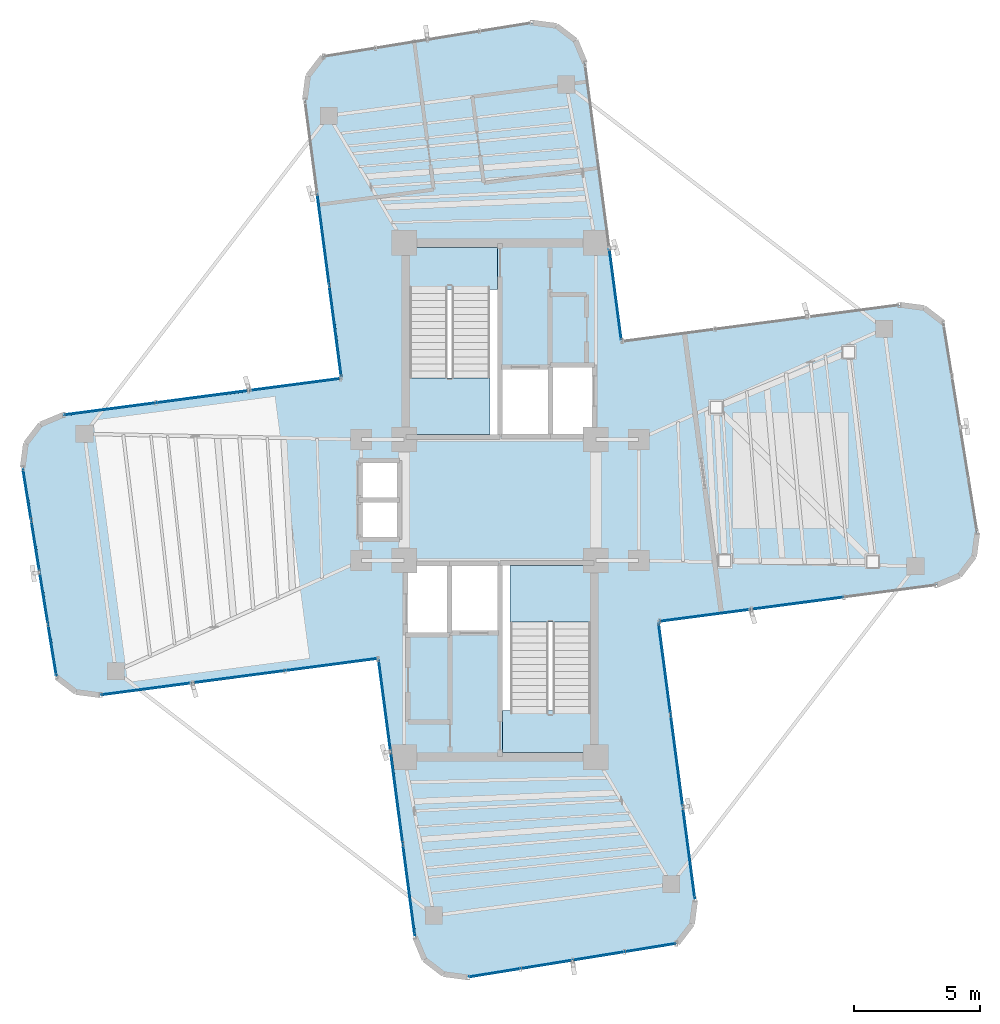
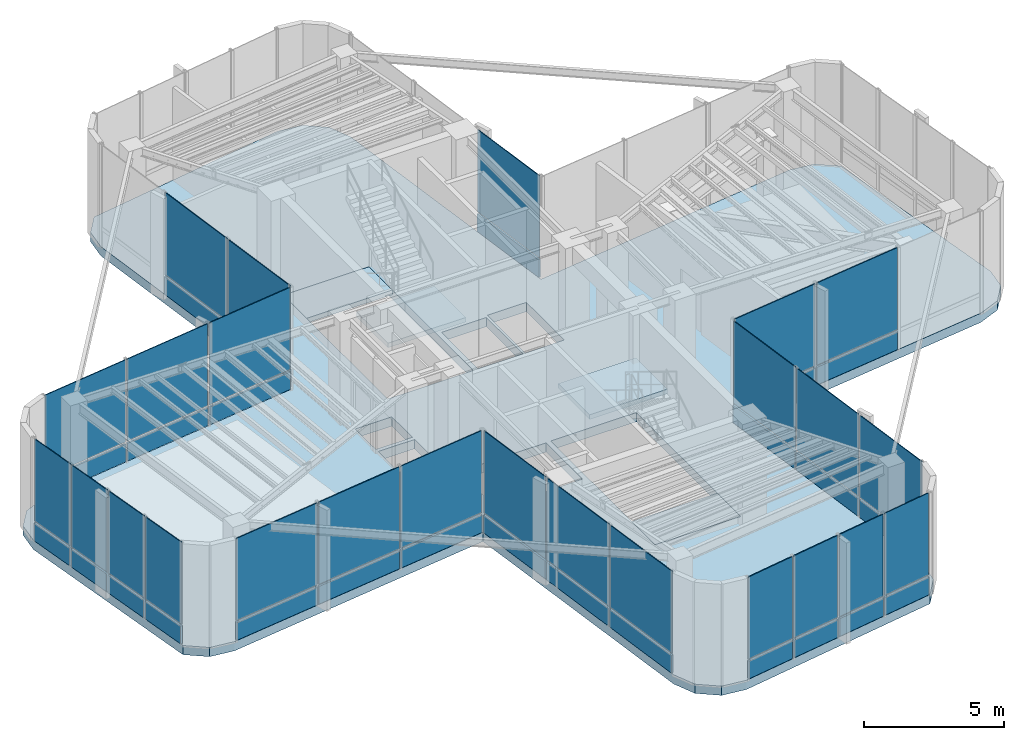
# One storey, part 11 of 16: 50 plates, 5 slabs, 11 elements without a shape of their own.
"""IFC4 building model written with IfcOpenShell, lengths in metres."""

from ifc_helpers import new_model, si_unit, direction, frame, origin, origin_2d, place, context, subcontext, project, spatial, polyline, rectangle, outline, extrude, source, transform, mapped, material, layer, layer_set, type_object, element, aggregate, save


model = new_model("IFC4")

# Units and contexts
model_context = context("Model", 3, precision=1e-05, world=origin(), true_north=direction((0.0, 1.0)))
body_context = subcontext(model_context, "Body", "Model", "MODEL_VIEW")
ifc_project = project(units=[si_unit("LENGTHUNIT", "METRE"), si_unit("AREAUNIT", "SQUARE_METRE"), si_unit("VOLUMEUNIT", "CUBIC_METRE"), si_unit("PLANEANGLEUNIT", "RADIAN"), si_unit("MASSUNIT", "GRAM", prefix="KILO")], contexts=[model_context])

# Site, building, storey
site_placement = place(None, origin())
site = spatial("IfcSite", under=ifc_project, at=site_placement, CompositionType="ELEMENT")
building_placement = place(site_placement, origin())
building = spatial("IfcBuilding", under=site, at=building_placement, Name="Sahyath Konkavel Grand Hotel", CompositionType="ELEMENT")
storey_placement = place(building_placement, frame((0.0, 0.0, 280.300048828125)))
storey = spatial("IfcBuildingStorey", under=building, at=storey_placement, Name="L78", CompositionType="ELEMENT", Elevation=280.300048828125)

# Slab
ifc_material_1 = material(Name="Concrete C50/60", Category="concrete")
ifc_layer_1 = layer(ifc_material_1, 0.39990234375)
ifc_layer_set_1 = layer_set([ifc_layer_1], Name="Concrete C50/60")
slab_type_1 = type_object("IfcSlabType", Name="SLB-400", PredefinedType="FLOOR", material=ifc_layer_set_1)
slab_1_placement = place(storey_placement, frame((0.0, 0.0, -0.400146484375)))
element("IfcSlab", 1, at=slab_1_placement, inside=storey, type_object=slab_type_1, Name="L78 Structural Floor Slab", PredefinedType="FLOOR", context=body_context, shape_type="SweptSolid", body=[
    extrude(outline(polyline([(6.282958984375, -4.821044921875), (17.337646484375, -3.36572265625), (18.222412109375, -2.999267578125), (18.805419921875, -2.239501953125), (18.930419921875, -1.2900390625), (17.5849609375, 7.030517578125), (16.8251953125, 7.61328125), (15.875732421875, 7.73828125), (4.821044921875, 6.282958984375), (3.36572265625, 17.337646484375), (2.999267578125, 18.222412109375), (2.239501953125, 18.805419921875), (1.2900390625, 18.930419921875), (-7.030517578125, 17.5849609375), (-7.61328125, 16.8251953125), (-7.73828125, 15.875732421875), (-6.282958984375, 4.821044921875), (-17.337646484375, 3.36572265625), (-18.222412109375, 2.999267578125), (-18.805419921875, 2.239501953125), (-18.930419921875, 1.2900390625), (-17.5849609375, -7.030517578125), (-16.8251953125, -7.61328125), (-15.875732421875, -7.73828125), (-4.821044921875, -6.282958984375), (-3.36572265625, -17.337646484375), (-2.999267578125, -18.222412109375), (-2.239501953125, -18.805419921875), (-1.2900390625, -18.930419921875), (7.030517578125, -17.5849609375), (7.61328125, -16.8251953125), (7.73828125, -15.875732421875), (6.282958984375, -4.821044921875)]), holes=[polyline([(-3.6201171875, 2.580078125), (-0.10009765625, 2.580078125), (-0.10009765625, 10.02001953125), (-3.6201171875, 10.02001953125), (-3.6201171875, 2.580078125)]), polyline([(0.10009765625, -10.02001953125), (3.6201171875, -10.02001953125), (3.6201171875, -2.580078125), (0.10009765625, -2.580078125), (0.10009765625, -10.02001953125)]), polyline([(0.10009765625, 2.60009765625), (1.949951171875, 2.60009765625), (1.949951171875, 5.199951171875), (0.10009765625, 5.199951171875), (0.10009765625, 2.60009765625)]), polyline([(-1.949951171875, -5.199951171875), (-0.10009765625, -5.199951171875), (-0.10009765625, -2.60009765625), (-1.949951171875, -2.60009765625), (-1.949951171875, -5.199951171875)]), polyline([(2.050048828125, 2.60009765625), (3.64990234375, 2.60009765625), (3.64990234375, 5.300048828125), (2.050048828125, 5.300048828125), (2.050048828125, 2.60009765625)]), polyline([(-3.64990234375, -5.300048828125), (-2.050048828125, -5.300048828125), (-2.050048828125, -2.60009765625), (-3.64990234375, -2.60009765625), (-3.64990234375, -5.300048828125)]), polyline([(-5.550048828125, 0.080078125), (-4.050048828125, 0.080078125), (-4.050048828125, 1.5400390625), (-5.550048828125, 1.5400390625), (-5.550048828125, 0.080078125)]), polyline([(-5.550048828125, -1.5400390625), (-4.050048828125, -1.5400390625), (-4.050048828125, -0.080078125), (-5.550048828125, -0.080078125), (-5.550048828125, -1.5400390625)])]), origin(), (0.0, 0.0, 1.0), 0.400146484375),
])

# Stair, slab
ifc_material_2 = material(Name="Concrete C40/50", Category="concrete")
stair_type = type_object("IfcStairType", Name="STR-ST16-480", PredefinedType="HALF_TURN_STAIR", material=ifc_material_2)
stair_1_placement = place(storey_placement, origin())
stair_1 = element("IfcStair", 2, at=stair_1_placement, inside=storey, type_object=stair_type, Name="L78 North Core Smokeproof Exit Stair ST-1", PredefinedType="HALF_TURN_STAIR")
ifc_layer_2 = layer(ifc_material_2, 0.199951171875)
ifc_layer_set_2 = layer_set([ifc_layer_2], Name="Concrete C40/50")
slab_type_2 = type_object("IfcSlabType", Name="SLB-STAIR-LND", PredefinedType="LANDING", material=ifc_layer_set_2)
slab_2_placement = place(storey_placement, frame((0.0, 0.0, 2.199951171875)))
slab_2 = element("IfcSlab", 3, at=slab_2_placement, type_object=slab_type_2, Name="ST-1 landing 1", PredefinedType="LANDING", context=body_context, shape_type="SweptSolid", body=[
    extrude(outline(polyline([(-3.60009765625, 4.840087890625), (-3.60009765625, 2.60009765625), (-0.39990234375, 2.60009765625), (-0.39990234375, 4.840087890625), (-3.60009765625, 4.840087890625)])), origin(), (0.0, 0.0, 1.0), 0.199951171875),
])
aggregate(stair_1, [slab_2])

stair_2_placement = place(storey_placement, origin())
stair_2 = element("IfcStair", 4, at=stair_2_placement, inside=storey, type_object=stair_type, Name="L78 South Core Smokeproof Exit Stair ST-2", PredefinedType="HALF_TURN_STAIR")
slab_3_placement = place(storey_placement, frame((0.0, 0.0, 2.199951171875)))
slab_3 = element("IfcSlab", 5, at=slab_3_placement, type_object=slab_type_2, Name="ST-2 landing 1", PredefinedType="LANDING", context=body_context, shape_type="SweptSolid", body=[
    extrude(outline(polyline([(3.60009765625, -4.840087890625), (3.60009765625, -2.60009765625), (0.39990234375, -2.60009765625), (0.39990234375, -4.840087890625), (3.60009765625, -4.840087890625)])), origin(), (0.0, 0.0, 1.0), 0.199951171875),
])
aggregate(stair_2, [slab_3])

# Slabs
slab_4_placement = place(storey_placement, frame((0.0, 0.0, -0.199951171875)))
element("IfcSlab", 6, at=slab_4_placement, inside=storey, type_object=slab_type_2, Name="L78 Stair ST-1 Floor Landing Slab", PredefinedType="LANDING", context=body_context, shape_type="SweptSolid", body=[
    extrude(outline(polyline([(-3.6201171875, 8.35009765625), (-0.10009765625, 8.35009765625), (-0.10009765625, 10.02001953125), (-3.6201171875, 10.02001953125), (-3.6201171875, 8.35009765625)])), origin(), (0.0, 0.0, 1.0), 0.199951171875),
])
slab_5_placement = place(storey_placement, frame((0.0, 0.0, -0.199951171875)))
element("IfcSlab", 7, at=slab_5_placement, inside=storey, type_object=slab_type_2, Name="L78 Stair ST-2 Floor Landing Slab", PredefinedType="LANDING", context=body_context, shape_type="SweptSolid", body=[
    extrude(outline(polyline([(0.10009765625, -10.02001953125), (3.6201171875, -10.02001953125), (3.6201171875, -8.35009765625), (0.10009765625, -8.35009765625), (0.10009765625, -10.02001953125)])), origin(), (0.0, 0.0, 1.0), 0.199951171875),
])

# Curtain wall, plates
ifc_material_3 = material(Name="Anodised Bronze Aluminium & Low-E Glazing", Category="aluminium")
curtain_wall_type = type_object("IfcCurtainWallType", Name="CW-CROWN-TMD", PredefinedType="NOTDEFINED", material=ifc_material_3)
curtain_wall_1_placement = place(storey_placement, origin())
curtain_wall_1 = element("IfcCurtainWall", 8, at=curtain_wall_1_placement, inside=storey, type_object=curtain_wall_type, Name="L78 Unitised Curtain Wall F20", PredefinedType="NOTDEFINED")
ifc_material_4 = material(Name="Warm Buff Sandstone Cladding", Category="masonry")
ifc_layer_3 = layer(ifc_material_4, 0.074951171875)
ifc_layer_set_3 = layer_set([ifc_layer_3], Name="Warm Buff Sandstone Cladding")
plate_type_1 = type_object("IfcPlateType", Name="PNL-SPANDREL-STONE", PredefinedType="SHEET", material=ifc_layer_set_3)
shared_shape_1 = source(origin(), body_context, "Body", "SweptSolid", [
    extrude(rectangle(XDim=2.007080078125, YDim=0.074951171875, at=origin_2d()), origin(), (0.0, 0.0, 1.0), 0.77001953125),
])
plate_1_placement = place(storey_placement, frame((-18.75732421875, 0.220458984375, 0.0400390625), z_axis=(0.0, 0.0, 1.0), x_axis=(0.159622750546, -0.987178088041, 0.0)))
plate_1 = element("IfcPlate", 9, at=plate_1_placement, type_object=plate_type_1, Name="L78 Sandstone Relief Spandrel Panel F20-0", PredefinedType="SHEET", context=body_context, shape_type="MappedRepresentation", body=[
    mapped(shared_shape_1, transform((0.0, 0.0, 0.0), scale=1.0)),
])
plate_2_placement = place(storey_placement, frame((-18.42431640625, -1.840087890625, 0.0400390625), z_axis=(0.0, 0.0, 1.0), x_axis=(0.159622750546, -0.987178088041, 0.0)))
plate_2 = element("IfcPlate", 10, at=plate_2_placement, type_object=plate_type_1, Name="L78 Sandstone Relief Spandrel Panel F20-1", PredefinedType="SHEET", context=body_context, shape_type="MappedRepresentation", body=[
    mapped(shared_shape_1, transform((0.0, 0.0, 0.0), scale=1.0)),
])
plate_3_placement = place(storey_placement, frame((-18.091064453125, -3.900390625, 0.0400390625), z_axis=(0.0, 0.0, 1.0), x_axis=(0.159622750546, -0.987178088041, 0.0)))
plate_3 = element("IfcPlate", 11, at=plate_3_placement, type_object=plate_type_1, Name="L78 Sandstone Relief Spandrel Panel F20-2", PredefinedType="SHEET", context=body_context, shape_type="MappedRepresentation", body=[
    mapped(shared_shape_1, transform((0.0, 0.0, 0.0), scale=1.0)),
])
plate_4_placement = place(storey_placement, frame((-17.7578125, -5.960693359375, 0.0400390625), z_axis=(0.0, 0.0, 1.0), x_axis=(0.159622750546, -0.987178088041, 0.0)))
plate_4 = element("IfcPlate", 12, at=plate_4_placement, type_object=plate_type_1, Name="L78 Sandstone Relief Spandrel Panel F20-3", PredefinedType="SHEET", context=body_context, shape_type="MappedRepresentation", body=[
    mapped(shared_shape_1, transform((0.0, 0.0, 0.0), scale=1.0)),
])

curtain_wall_2_placement = place(storey_placement, origin())
curtain_wall_2 = element("IfcCurtainWall", 13, at=curtain_wall_2_placement, inside=storey, type_object=curtain_wall_type, Name="L78 Unitised Curtain Wall F28", PredefinedType="NOTDEFINED")
plate_5_placement = place(storey_placement, frame((-0.220458984375, -18.75732421875, 0.0400390625), z_axis=(0.0, 0.0, 1.0), x_axis=(0.987178088041, 0.159622750546, 0.0)))
plate_5 = element("IfcPlate", 14, at=plate_5_placement, type_object=plate_type_1, Name="L78 Sandstone Relief Spandrel Panel F28-0", PredefinedType="SHEET", context=body_context, shape_type="MappedRepresentation", body=[
    mapped(shared_shape_1, transform((0.0, 0.0, 0.0), scale=1.0)),
])
plate_6_placement = place(storey_placement, frame((1.840087890625, -18.42431640625, 0.0400390625), z_axis=(0.0, 0.0, 1.0), x_axis=(0.987178088041, 0.159622750546, 0.0)))
plate_6 = element("IfcPlate", 15, at=plate_6_placement, type_object=plate_type_1, Name="L78 Sandstone Relief Spandrel Panel F28-1", PredefinedType="SHEET", context=body_context, shape_type="MappedRepresentation", body=[
    mapped(shared_shape_1, transform((0.0, 0.0, 0.0), scale=1.0)),
])
plate_7_placement = place(storey_placement, frame((3.900390625, -18.091064453125, 0.0400390625), z_axis=(0.0, 0.0, 1.0), x_axis=(0.987178088041, 0.159622750546, 0.0)))
plate_7 = element("IfcPlate", 16, at=plate_7_placement, type_object=plate_type_1, Name="L78 Sandstone Relief Spandrel Panel F28-2", PredefinedType="SHEET", context=body_context, shape_type="MappedRepresentation", body=[
    mapped(shared_shape_1, transform((0.0, 0.0, 0.0), scale=1.0)),
])
plate_8_placement = place(storey_placement, frame((5.960693359375, -17.7578125, 0.0400390625), z_axis=(0.0, 0.0, 1.0), x_axis=(0.987178088041, 0.159622750546, 0.0)))
plate_8 = element("IfcPlate", 17, at=plate_8_placement, type_object=plate_type_1, Name="L78 Sandstone Relief Spandrel Panel F28-3", PredefinedType="SHEET", context=body_context, shape_type="MappedRepresentation", body=[
    mapped(shared_shape_1, transform((0.0, 0.0, 0.0), scale=1.0)),
])

curtain_wall_3_placement = place(storey_placement, origin())
curtain_wall_3 = element("IfcCurtainWall", 18, at=curtain_wall_3_placement, inside=storey, type_object=curtain_wall_type, Name="L78 Unitised Curtain Wall F0", PredefinedType="NOTDEFINED")
shared_shape_2 = source(origin(), body_context, "Body", "SweptSolid", [
    extrude(rectangle(XDim=3.610107421875, YDim=0.074951171875, at=origin_2d()), origin(), (0.0, 0.0, 1.0), 0.77001953125),
])
plate_9_placement = place(storey_placement, frame((8.15185546875, -4.5751953125, 0.0400390625), z_axis=(0.0, 0.0, 1.0), x_axis=(0.991444861374, 0.13052619222, 0.0)))
plate_9 = element("IfcPlate", 19, at=plate_9_placement, type_object=plate_type_1, Name="L78 Sandstone Relief Spandrel Panel F0-0", PredefinedType="SHEET", context=body_context, shape_type="MappedRepresentation", body=[
    mapped(shared_shape_2, transform((0.0, 0.0, 0.0), scale=1.0)),
])
plate_10_placement = place(storey_placement, frame((11.810302734375, -4.093505859375, 0.0400390625), z_axis=(0.0, 0.0, 1.0), x_axis=(0.991444861374, 0.13052619222, 0.0)))
plate_10 = element("IfcPlate", 20, at=plate_10_placement, type_object=plate_type_1, Name="L78 Sandstone Relief Spandrel Panel F0-1", PredefinedType="SHEET", context=body_context, shape_type="MappedRepresentation", body=[
    mapped(shared_shape_2, transform((0.0, 0.0, 0.0), scale=1.0)),
])

# Curtain wall, plate
curtain_wall_4_placement = place(storey_placement, origin())
curtain_wall_4 = element("IfcCurtainWall", 21, at=curtain_wall_4_placement, inside=storey, type_object=curtain_wall_type, Name="L78 Unitised Curtain Wall F8", PredefinedType="NOTDEFINED")
plate_11_placement = place(storey_placement, frame((4.5751953125, 8.15185546875, 0.0400390625), z_axis=(0.0, 0.0, 1.0), x_axis=(-0.13052619222, 0.991444861374, 0.0)))
plate_11 = element("IfcPlate", 22, at=plate_11_placement, type_object=plate_type_1, Name="L78 Sandstone Relief Spandrel Panel F8-0", PredefinedType="SHEET", context=body_context, shape_type="MappedRepresentation", body=[
    mapped(shared_shape_2, transform((0.0, 0.0, 0.0), scale=1.0)),
])

# Curtain wall, plates
curtain_wall_5_placement = place(storey_placement, origin())
curtain_wall_5 = element("IfcCurtainWall", 23, at=curtain_wall_5_placement, inside=storey, type_object=curtain_wall_type, Name="L78 Unitised Curtain Wall F15", PredefinedType="NOTDEFINED")
plate_12_placement = place(storey_placement, frame((-7.0107421875, 10.348388671875, 0.0400390625), z_axis=(0.0, 0.0, 1.0), x_axis=(0.13052619222, -0.991444861374, 0.0)))
plate_12 = element("IfcPlate", 24, at=plate_12_placement, type_object=plate_type_1, Name="L78 Sandstone Relief Spandrel Panel F15-1", PredefinedType="SHEET", context=body_context, shape_type="MappedRepresentation", body=[
    mapped(shared_shape_2, transform((0.0, 0.0, 0.0), scale=1.0)),
])
plate_13_placement = place(storey_placement, frame((-6.529052734375, 6.68994140625, 0.0400390625), z_axis=(0.0, 0.0, 1.0), x_axis=(0.13052619222, -0.991444861374, 0.0)))
plate_13 = element("IfcPlate", 25, at=plate_13_placement, type_object=plate_type_1, Name="L78 Sandstone Relief Spandrel Panel F15-2", PredefinedType="SHEET", context=body_context, shape_type="MappedRepresentation", body=[
    mapped(shared_shape_2, transform((0.0, 0.0, 0.0), scale=1.0)),
])

curtain_wall_6_placement = place(storey_placement, origin())
curtain_wall_6 = element("IfcCurtainWall", 26, at=curtain_wall_6_placement, inside=storey, type_object=curtain_wall_type, Name="L78 Unitised Curtain Wall F16", PredefinedType="NOTDEFINED")
plate_14_placement = place(storey_placement, frame((-8.15185546875, 4.5751953125, 0.0400390625), z_axis=(0.0, 0.0, 1.0), x_axis=(-0.991444861374, -0.13052619222, 0.0)))
plate_14 = element("IfcPlate", 27, at=plate_14_placement, type_object=plate_type_1, Name="L78 Sandstone Relief Spandrel Panel F16-0", PredefinedType="SHEET", context=body_context, shape_type="MappedRepresentation", body=[
    mapped(shared_shape_2, transform((0.0, 0.0, 0.0), scale=1.0)),
])
plate_15_placement = place(storey_placement, frame((-11.810302734375, 4.093505859375, 0.0400390625), z_axis=(0.0, 0.0, 1.0), x_axis=(-0.991444861374, -0.13052619222, 0.0)))
plate_15 = element("IfcPlate", 28, at=plate_15_placement, type_object=plate_type_1, Name="L78 Sandstone Relief Spandrel Panel F16-1", PredefinedType="SHEET", context=body_context, shape_type="MappedRepresentation", body=[
    mapped(shared_shape_2, transform((0.0, 0.0, 0.0), scale=1.0)),
])
plate_16_placement = place(storey_placement, frame((-15.46875, 3.61181640625, 0.0400390625), z_axis=(0.0, 0.0, 1.0), x_axis=(-0.991444861374, -0.13052619222, 0.0)))
plate_16 = element("IfcPlate", 29, at=plate_16_placement, type_object=plate_type_1, Name="L78 Sandstone Relief Spandrel Panel F16-2", PredefinedType="SHEET", context=body_context, shape_type="MappedRepresentation", body=[
    mapped(shared_shape_2, transform((0.0, 0.0, 0.0), scale=1.0)),
])

curtain_wall_7_placement = place(storey_placement, origin())
curtain_wall_7 = element("IfcCurtainWall", 30, at=curtain_wall_7_placement, inside=storey, type_object=curtain_wall_type, Name="L78 Unitised Curtain Wall F23", PredefinedType="NOTDEFINED")
plate_17_placement = place(storey_placement, frame((-14.0068359375, -7.492431640625, 0.0400390625), z_axis=(0.0, 0.0, 1.0), x_axis=(0.991444861374, 0.13052619222, 0.0)))
plate_17 = element("IfcPlate", 31, at=plate_17_placement, type_object=plate_type_1, Name="L78 Sandstone Relief Spandrel Panel F23-0", PredefinedType="SHEET", context=body_context, shape_type="MappedRepresentation", body=[
    mapped(shared_shape_2, transform((0.0, 0.0, 0.0), scale=1.0)),
])
plate_18_placement = place(storey_placement, frame((-10.348388671875, -7.0107421875, 0.0400390625), z_axis=(0.0, 0.0, 1.0), x_axis=(0.991444861374, 0.13052619222, 0.0)))
plate_18 = element("IfcPlate", 32, at=plate_18_placement, type_object=plate_type_1, Name="L78 Sandstone Relief Spandrel Panel F23-1", PredefinedType="SHEET", context=body_context, shape_type="MappedRepresentation", body=[
    mapped(shared_shape_2, transform((0.0, 0.0, 0.0), scale=1.0)),
])
plate_19_placement = place(storey_placement, frame((-6.68994140625, -6.529052734375, 0.0400390625), z_axis=(0.0, 0.0, 1.0), x_axis=(0.991444861374, 0.13052619222, 0.0)))
plate_19 = element("IfcPlate", 33, at=plate_19_placement, type_object=plate_type_1, Name="L78 Sandstone Relief Spandrel Panel F23-2", PredefinedType="SHEET", context=body_context, shape_type="MappedRepresentation", body=[
    mapped(shared_shape_2, transform((0.0, 0.0, 0.0), scale=1.0)),
])

curtain_wall_8_placement = place(storey_placement, origin())
curtain_wall_8 = element("IfcCurtainWall", 34, at=curtain_wall_8_placement, inside=storey, type_object=curtain_wall_type, Name="L78 Unitised Curtain Wall F24", PredefinedType="NOTDEFINED")
plate_20_placement = place(storey_placement, frame((-4.5751953125, -8.15185546875, 0.0400390625), z_axis=(0.0, 0.0, 1.0), x_axis=(0.13052619222, -0.991444861374, 0.0)))
plate_20 = element("IfcPlate", 35, at=plate_20_placement, type_object=plate_type_1, Name="L78 Sandstone Relief Spandrel Panel F24-0", PredefinedType="SHEET", context=body_context, shape_type="MappedRepresentation", body=[
    mapped(shared_shape_2, transform((0.0, 0.0, 0.0), scale=1.0)),
])
plate_21_placement = place(storey_placement, frame((-4.093505859375, -11.810302734375, 0.0400390625), z_axis=(0.0, 0.0, 1.0), x_axis=(0.13052619222, -0.991444861374, 0.0)))
plate_21 = element("IfcPlate", 36, at=plate_21_placement, type_object=plate_type_1, Name="L78 Sandstone Relief Spandrel Panel F24-1", PredefinedType="SHEET", context=body_context, shape_type="MappedRepresentation", body=[
    mapped(shared_shape_2, transform((0.0, 0.0, 0.0), scale=1.0)),
])
plate_22_placement = place(storey_placement, frame((-3.61181640625, -15.46875, 0.0400390625), z_axis=(0.0, 0.0, 1.0), x_axis=(0.13052619222, -0.991444861374, 0.0)))
plate_22 = element("IfcPlate", 37, at=plate_22_placement, type_object=plate_type_1, Name="L78 Sandstone Relief Spandrel Panel F24-2", PredefinedType="SHEET", context=body_context, shape_type="MappedRepresentation", body=[
    mapped(shared_shape_2, transform((0.0, 0.0, 0.0), scale=1.0)),
])

curtain_wall_9_placement = place(storey_placement, origin())
curtain_wall_9 = element("IfcCurtainWall", 38, at=curtain_wall_9_placement, inside=storey, type_object=curtain_wall_type, Name="L78 Unitised Curtain Wall F31", PredefinedType="NOTDEFINED")
plate_23_placement = place(storey_placement, frame((7.492431640625, -14.0068359375, 0.0400390625), z_axis=(0.0, 0.0, 1.0), x_axis=(-0.13052619222, 0.991444861374, 0.0)))
plate_23 = element("IfcPlate", 39, at=plate_23_placement, type_object=plate_type_1, Name="L78 Sandstone Relief Spandrel Panel F31-0", PredefinedType="SHEET", context=body_context, shape_type="MappedRepresentation", body=[
    mapped(shared_shape_2, transform((0.0, 0.0, 0.0), scale=1.0)),
])
plate_24_placement = place(storey_placement, frame((7.0107421875, -10.348388671875, 0.0400390625), z_axis=(0.0, 0.0, 1.0), x_axis=(-0.13052619222, 0.991444861374, 0.0)))
plate_24 = element("IfcPlate", 40, at=plate_24_placement, type_object=plate_type_1, Name="L78 Sandstone Relief Spandrel Panel F31-1", PredefinedType="SHEET", context=body_context, shape_type="MappedRepresentation", body=[
    mapped(shared_shape_2, transform((0.0, 0.0, 0.0), scale=1.0)),
])
plate_25_placement = place(storey_placement, frame((6.529052734375, -6.68994140625, 0.0400390625), z_axis=(0.0, 0.0, 1.0), x_axis=(-0.13052619222, 0.991444861374, 0.0)))
plate_25 = element("IfcPlate", 41, at=plate_25_placement, type_object=plate_type_1, Name="L78 Sandstone Relief Spandrel Panel F31-2", PredefinedType="SHEET", context=body_context, shape_type="MappedRepresentation", body=[
    mapped(shared_shape_2, transform((0.0, 0.0, 0.0), scale=1.0)),
])

# Plate
ifc_material_5 = material(Name="Low-E Solar Control Double Glazing", Category="glass")
ifc_layer_4 = layer(ifc_material_5, 0.035888671875)
ifc_layer_set_4 = layer_set([ifc_layer_4], Name="Low-E Solar Control Double Glazing")
plate_type_2 = type_object("IfcPlateType", Name="PNL-VISION-LOWE", PredefinedType="CURTAIN_PANEL", material=ifc_layer_set_4)
shared_shape_3 = source(origin(), body_context, "Body", "SweptSolid", [
    extrude(rectangle(XDim=3.610107421875, YDim=0.035888671875, at=origin_2d()), origin(), (0.0, 0.0, 1.0), 3.570068359375),
])
plate_26_placement = place(storey_placement, frame((8.15185546875, -4.5751953125, 0.89013671875), z_axis=(0.0, 0.0, 1.0), x_axis=(0.991444861374, 0.13052619222, 0.0)))
plate_26 = element("IfcPlate", 42, at=plate_26_placement, type_object=plate_type_2, Name="L78 Low-E Vision Glazing Panel F0-0", PredefinedType="CURTAIN_PANEL", context=body_context, shape_type="MappedRepresentation", body=[
    mapped(shared_shape_3, transform((0.0, 0.0, 0.0), scale=1.0)),
])

plate_27_placement = place(storey_placement, frame((11.810302734375, -4.093505859375, 0.89013671875), z_axis=(0.0, 0.0, 1.0), x_axis=(0.991444861374, 0.13052619222, 0.0)))
plate_27 = element("IfcPlate", 43, at=plate_27_placement, type_object=plate_type_2, Name="L78 Low-E Vision Glazing Panel F0-1", PredefinedType="CURTAIN_PANEL", context=body_context, shape_type="MappedRepresentation", body=[
    mapped(shared_shape_3, transform((0.0, 0.0, 0.0), scale=1.0)),
])

aggregate(curtain_wall_3, [plate_9, plate_26, plate_10, plate_27])

plate_28_placement = place(storey_placement, frame((4.5751953125, 8.15185546875, 0.89013671875), z_axis=(0.0, 0.0, 1.0), x_axis=(-0.13052619222, 0.991444861374, 0.0)))
plate_28 = element("IfcPlate", 44, at=plate_28_placement, type_object=plate_type_2, Name="L78 Low-E Vision Glazing Panel F8-0", PredefinedType="CURTAIN_PANEL", context=body_context, shape_type="MappedRepresentation", body=[
    mapped(shared_shape_3, transform((0.0, 0.0, 0.0), scale=1.0)),
])

aggregate(curtain_wall_4, [plate_11, plate_28])

plate_29_placement = place(storey_placement, frame((-7.0107421875, 10.348388671875, 0.89013671875), z_axis=(0.0, 0.0, 1.0), x_axis=(0.13052619222, -0.991444861374, 0.0)))
plate_29 = element("IfcPlate", 45, at=plate_29_placement, type_object=plate_type_2, Name="L78 Low-E Vision Glazing Panel F15-1", PredefinedType="CURTAIN_PANEL", context=body_context, shape_type="MappedRepresentation", body=[
    mapped(shared_shape_3, transform((0.0, 0.0, 0.0), scale=1.0)),
])

plate_30_placement = place(storey_placement, frame((-6.529052734375, 6.68994140625, 0.89013671875), z_axis=(0.0, 0.0, 1.0), x_axis=(0.13052619222, -0.991444861374, 0.0)))
plate_30 = element("IfcPlate", 46, at=plate_30_placement, type_object=plate_type_2, Name="L78 Low-E Vision Glazing Panel F15-2", PredefinedType="CURTAIN_PANEL", context=body_context, shape_type="MappedRepresentation", body=[
    mapped(shared_shape_3, transform((0.0, 0.0, 0.0), scale=1.0)),
])

aggregate(curtain_wall_5, [plate_12, plate_29, plate_13, plate_30])

plate_31_placement = place(storey_placement, frame((-8.15185546875, 4.5751953125, 0.89013671875), z_axis=(0.0, 0.0, 1.0), x_axis=(-0.991444861374, -0.13052619222, 0.0)))
plate_31 = element("IfcPlate", 47, at=plate_31_placement, type_object=plate_type_2, Name="L78 Low-E Vision Glazing Panel F16-0", PredefinedType="CURTAIN_PANEL", context=body_context, shape_type="MappedRepresentation", body=[
    mapped(shared_shape_3, transform((0.0, 0.0, 0.0), scale=1.0)),
])

plate_32_placement = place(storey_placement, frame((-11.810302734375, 4.093505859375, 0.89013671875), z_axis=(0.0, 0.0, 1.0), x_axis=(-0.991444861374, -0.13052619222, 0.0)))
plate_32 = element("IfcPlate", 48, at=plate_32_placement, type_object=plate_type_2, Name="L78 Low-E Vision Glazing Panel F16-1", PredefinedType="CURTAIN_PANEL", context=body_context, shape_type="MappedRepresentation", body=[
    mapped(shared_shape_3, transform((0.0, 0.0, 0.0), scale=1.0)),
])

plate_33_placement = place(storey_placement, frame((-15.46875, 3.61181640625, 0.89013671875), z_axis=(0.0, 0.0, 1.0), x_axis=(-0.991444861374, -0.13052619222, 0.0)))
plate_33 = element("IfcPlate", 49, at=plate_33_placement, type_object=plate_type_2, Name="L78 Low-E Vision Glazing Panel F16-2", PredefinedType="CURTAIN_PANEL", context=body_context, shape_type="MappedRepresentation", body=[
    mapped(shared_shape_3, transform((0.0, 0.0, 0.0), scale=1.0)),
])

aggregate(curtain_wall_6, [plate_14, plate_31, plate_15, plate_32, plate_16, plate_33])

plate_34_placement = place(storey_placement, frame((-14.0068359375, -7.492431640625, 0.89013671875), z_axis=(0.0, 0.0, 1.0), x_axis=(0.991444861374, 0.13052619222, 0.0)))
plate_34 = element("IfcPlate", 50, at=plate_34_placement, type_object=plate_type_2, Name="L78 Low-E Vision Glazing Panel F23-0", PredefinedType="CURTAIN_PANEL", context=body_context, shape_type="MappedRepresentation", body=[
    mapped(shared_shape_3, transform((0.0, 0.0, 0.0), scale=1.0)),
])

plate_35_placement = place(storey_placement, frame((-10.348388671875, -7.0107421875, 0.89013671875), z_axis=(0.0, 0.0, 1.0), x_axis=(0.991444861374, 0.13052619222, 0.0)))
plate_35 = element("IfcPlate", 51, at=plate_35_placement, type_object=plate_type_2, Name="L78 Low-E Vision Glazing Panel F23-1", PredefinedType="CURTAIN_PANEL", context=body_context, shape_type="MappedRepresentation", body=[
    mapped(shared_shape_3, transform((0.0, 0.0, 0.0), scale=1.0)),
])

plate_36_placement = place(storey_placement, frame((-6.68994140625, -6.529052734375, 0.89013671875), z_axis=(0.0, 0.0, 1.0), x_axis=(0.991444861374, 0.13052619222, 0.0)))
plate_36 = element("IfcPlate", 52, at=plate_36_placement, type_object=plate_type_2, Name="L78 Low-E Vision Glazing Panel F23-2", PredefinedType="CURTAIN_PANEL", context=body_context, shape_type="MappedRepresentation", body=[
    mapped(shared_shape_3, transform((0.0, 0.0, 0.0), scale=1.0)),
])

aggregate(curtain_wall_7, [plate_17, plate_34, plate_18, plate_35, plate_19, plate_36])

plate_37_placement = place(storey_placement, frame((-4.5751953125, -8.15185546875, 0.89013671875), z_axis=(0.0, 0.0, 1.0), x_axis=(0.13052619222, -0.991444861374, 0.0)))
plate_37 = element("IfcPlate", 53, at=plate_37_placement, type_object=plate_type_2, Name="L78 Low-E Vision Glazing Panel F24-0", PredefinedType="CURTAIN_PANEL", context=body_context, shape_type="MappedRepresentation", body=[
    mapped(shared_shape_3, transform((0.0, 0.0, 0.0), scale=1.0)),
])

plate_38_placement = place(storey_placement, frame((-4.093505859375, -11.810302734375, 0.89013671875), z_axis=(0.0, 0.0, 1.0), x_axis=(0.13052619222, -0.991444861374, 0.0)))
plate_38 = element("IfcPlate", 54, at=plate_38_placement, type_object=plate_type_2, Name="L78 Low-E Vision Glazing Panel F24-1", PredefinedType="CURTAIN_PANEL", context=body_context, shape_type="MappedRepresentation", body=[
    mapped(shared_shape_3, transform((0.0, 0.0, 0.0), scale=1.0)),
])

plate_39_placement = place(storey_placement, frame((-3.61181640625, -15.46875, 0.89013671875), z_axis=(0.0, 0.0, 1.0), x_axis=(0.13052619222, -0.991444861374, 0.0)))
plate_39 = element("IfcPlate", 55, at=plate_39_placement, type_object=plate_type_2, Name="L78 Low-E Vision Glazing Panel F24-2", PredefinedType="CURTAIN_PANEL", context=body_context, shape_type="MappedRepresentation", body=[
    mapped(shared_shape_3, transform((0.0, 0.0, 0.0), scale=1.0)),
])

aggregate(curtain_wall_8, [plate_20, plate_37, plate_21, plate_38, plate_22, plate_39])

plate_40_placement = place(storey_placement, frame((7.492431640625, -14.0068359375, 0.89013671875), z_axis=(0.0, 0.0, 1.0), x_axis=(-0.13052619222, 0.991444861374, 0.0)))
plate_40 = element("IfcPlate", 56, at=plate_40_placement, type_object=plate_type_2, Name="L78 Low-E Vision Glazing Panel F31-0", PredefinedType="CURTAIN_PANEL", context=body_context, shape_type="MappedRepresentation", body=[
    mapped(shared_shape_3, transform((0.0, 0.0, 0.0), scale=1.0)),
])

plate_41_placement = place(storey_placement, frame((7.0107421875, -10.348388671875, 0.89013671875), z_axis=(0.0, 0.0, 1.0), x_axis=(-0.13052619222, 0.991444861374, 0.0)))
plate_41 = element("IfcPlate", 57, at=plate_41_placement, type_object=plate_type_2, Name="L78 Low-E Vision Glazing Panel F31-1", PredefinedType="CURTAIN_PANEL", context=body_context, shape_type="MappedRepresentation", body=[
    mapped(shared_shape_3, transform((0.0, 0.0, 0.0), scale=1.0)),
])

plate_42_placement = place(storey_placement, frame((6.529052734375, -6.68994140625, 0.89013671875), z_axis=(0.0, 0.0, 1.0), x_axis=(-0.13052619222, 0.991444861374, 0.0)))
plate_42 = element("IfcPlate", 58, at=plate_42_placement, type_object=plate_type_2, Name="L78 Low-E Vision Glazing Panel F31-2", PredefinedType="CURTAIN_PANEL", context=body_context, shape_type="MappedRepresentation", body=[
    mapped(shared_shape_3, transform((0.0, 0.0, 0.0), scale=1.0)),
])

aggregate(curtain_wall_9, [plate_23, plate_40, plate_24, plate_41, plate_25, plate_42])

shared_shape_4 = source(origin(), body_context, "Body", "SweptSolid", [
    extrude(rectangle(XDim=2.007080078125, YDim=0.035888671875, at=origin_2d()), origin(), (0.0, 0.0, 1.0), 3.570068359375),
])
plate_43_placement = place(storey_placement, frame((-18.75732421875, 0.220458984375, 0.89013671875), z_axis=(0.0, 0.0, 1.0), x_axis=(0.159622750546, -0.987178088041, 0.0)))
plate_43 = element("IfcPlate", 59, at=plate_43_placement, type_object=plate_type_2, Name="L78 Low-E Vision Glazing Panel F20-0", PredefinedType="CURTAIN_PANEL", context=body_context, shape_type="MappedRepresentation", body=[
    mapped(shared_shape_4, transform((0.0, 0.0, 0.0), scale=1.0)),
])

plate_44_placement = place(storey_placement, frame((-18.42431640625, -1.840087890625, 0.89013671875), z_axis=(0.0, 0.0, 1.0), x_axis=(0.159622750546, -0.987178088041, 0.0)))
plate_44 = element("IfcPlate", 60, at=plate_44_placement, type_object=plate_type_2, Name="L78 Low-E Vision Glazing Panel F20-1", PredefinedType="CURTAIN_PANEL", context=body_context, shape_type="MappedRepresentation", body=[
    mapped(shared_shape_4, transform((0.0, 0.0, 0.0), scale=1.0)),
])

plate_45_placement = place(storey_placement, frame((-18.091064453125, -3.900390625, 0.89013671875), z_axis=(0.0, 0.0, 1.0), x_axis=(0.159622750546, -0.987178088041, 0.0)))
plate_45 = element("IfcPlate", 61, at=plate_45_placement, type_object=plate_type_2, Name="L78 Low-E Vision Glazing Panel F20-2", PredefinedType="CURTAIN_PANEL", context=body_context, shape_type="MappedRepresentation", body=[
    mapped(shared_shape_4, transform((0.0, 0.0, 0.0), scale=1.0)),
])

plate_46_placement = place(storey_placement, frame((-17.7578125, -5.960693359375, 0.89013671875), z_axis=(0.0, 0.0, 1.0), x_axis=(0.159622750546, -0.987178088041, 0.0)))
plate_46 = element("IfcPlate", 62, at=plate_46_placement, type_object=plate_type_2, Name="L78 Low-E Vision Glazing Panel F20-3", PredefinedType="CURTAIN_PANEL", context=body_context, shape_type="MappedRepresentation", body=[
    mapped(shared_shape_4, transform((0.0, 0.0, 0.0), scale=1.0)),
])

aggregate(curtain_wall_1, [plate_1, plate_43, plate_2, plate_44, plate_3, plate_45, plate_4, plate_46])

plate_47_placement = place(storey_placement, frame((-0.220458984375, -18.75732421875, 0.89013671875), z_axis=(0.0, 0.0, 1.0), x_axis=(0.987178088041, 0.159622750546, 0.0)))
plate_47 = element("IfcPlate", 63, at=plate_47_placement, type_object=plate_type_2, Name="L78 Low-E Vision Glazing Panel F28-0", PredefinedType="CURTAIN_PANEL", context=body_context, shape_type="MappedRepresentation", body=[
    mapped(shared_shape_4, transform((0.0, 0.0, 0.0), scale=1.0)),
])

plate_48_placement = place(storey_placement, frame((1.840087890625, -18.42431640625, 0.89013671875), z_axis=(0.0, 0.0, 1.0), x_axis=(0.987178088041, 0.159622750546, 0.0)))
plate_48 = element("IfcPlate", 64, at=plate_48_placement, type_object=plate_type_2, Name="L78 Low-E Vision Glazing Panel F28-1", PredefinedType="CURTAIN_PANEL", context=body_context, shape_type="MappedRepresentation", body=[
    mapped(shared_shape_4, transform((0.0, 0.0, 0.0), scale=1.0)),
])

plate_49_placement = place(storey_placement, frame((3.900390625, -18.091064453125, 0.89013671875), z_axis=(0.0, 0.0, 1.0), x_axis=(0.987178088041, 0.159622750546, 0.0)))
plate_49 = element("IfcPlate", 65, at=plate_49_placement, type_object=plate_type_2, Name="L78 Low-E Vision Glazing Panel F28-2", PredefinedType="CURTAIN_PANEL", context=body_context, shape_type="MappedRepresentation", body=[
    mapped(shared_shape_4, transform((0.0, 0.0, 0.0), scale=1.0)),
])

plate_50_placement = place(storey_placement, frame((5.960693359375, -17.7578125, 0.89013671875), z_axis=(0.0, 0.0, 1.0), x_axis=(0.987178088041, 0.159622750546, 0.0)))
plate_50 = element("IfcPlate", 66, at=plate_50_placement, type_object=plate_type_2, Name="L78 Low-E Vision Glazing Panel F28-3", PredefinedType="CURTAIN_PANEL", context=body_context, shape_type="MappedRepresentation", body=[
    mapped(shared_shape_4, transform((0.0, 0.0, 0.0), scale=1.0)),
])

aggregate(curtain_wall_2, [plate_5, plate_47, plate_6, plate_48, plate_7, plate_49, plate_8, plate_50])

save(model, "model.ifc")
